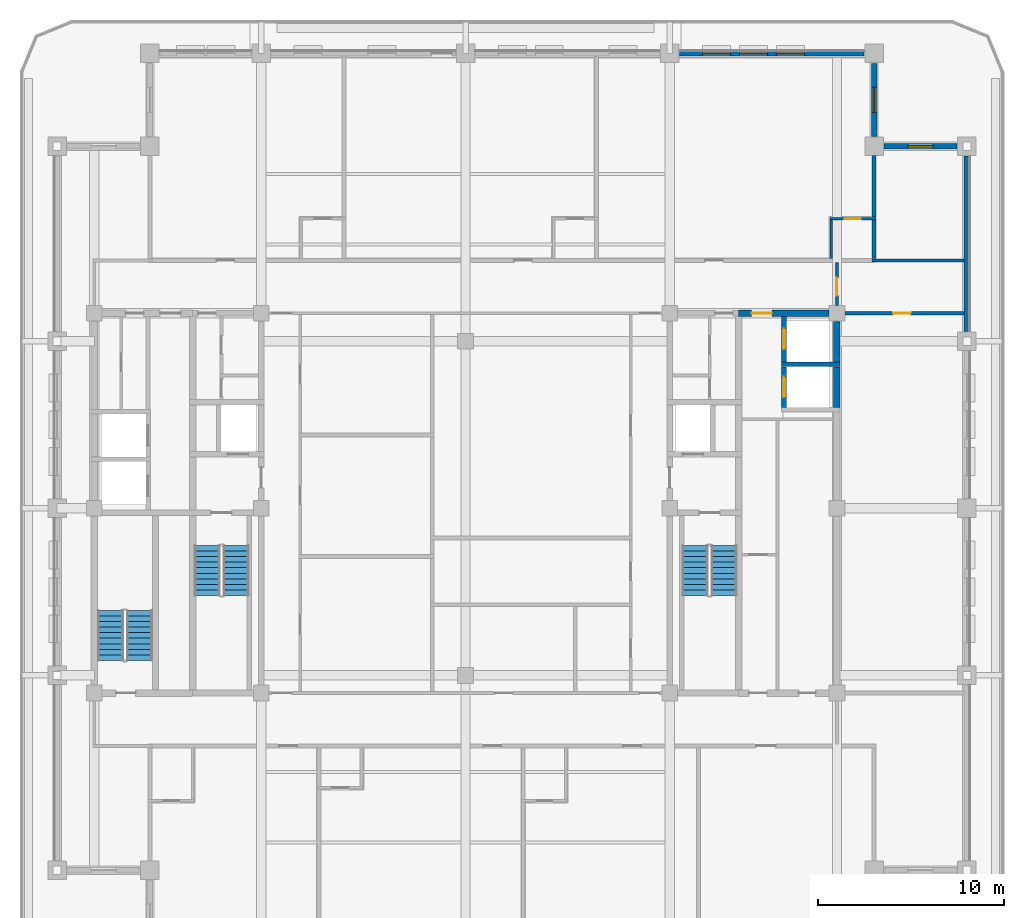
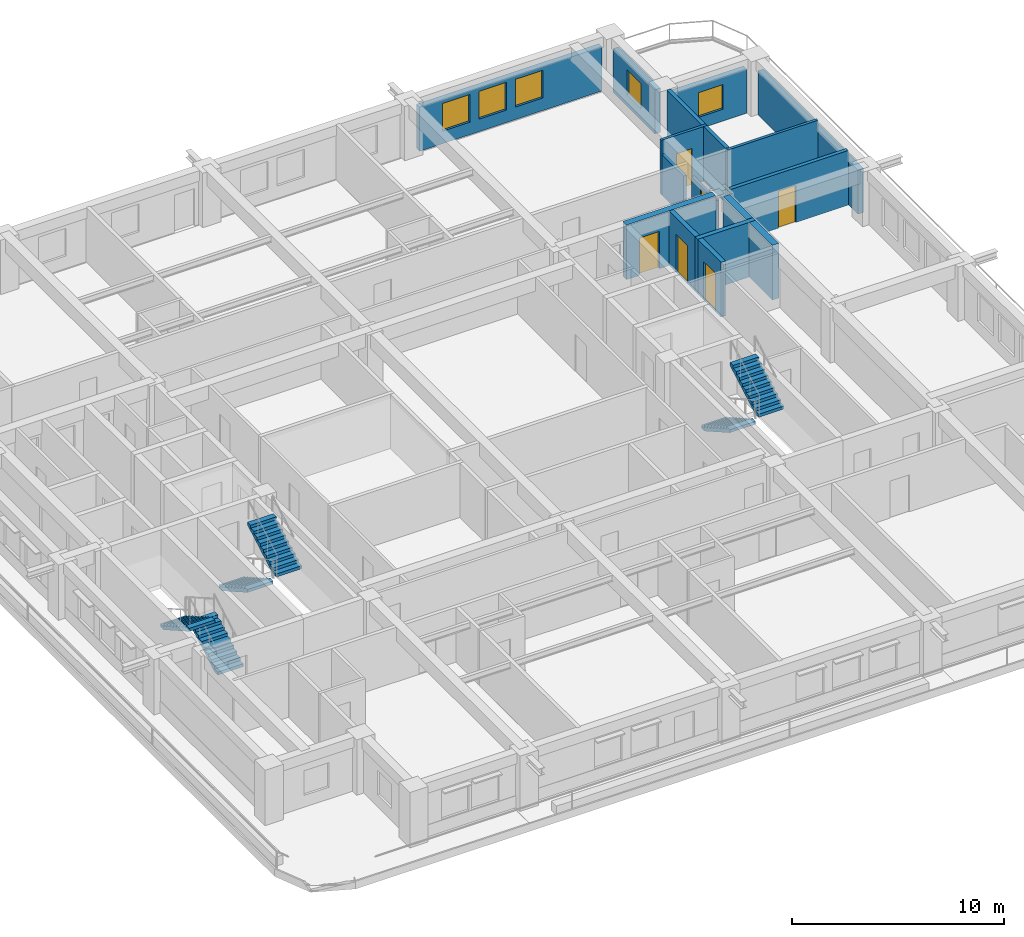
# One storey, part 7 of 13: 17 walls, 6 doors, 6 stair flights, 5 windows, 11 openings, 3 elements without a shape of their own.
"""IFC4 building model written with IfcOpenShell, lengths in metres."""

from ifc_helpers import new_model, si_unit, direction, frame, frame_2d, origin, place, context, subcontext, project, spatial, polyline, rectangle, outline, extrude, material, layer, layer_set, type_object, element, fill, aggregate, save


model = new_model("IFC4")

# Units and contexts
model_context = context("Model", 3, precision=1e-05, world=origin(), true_north=direction((0.0, 1.0)))
body_context = subcontext(model_context, "Body", "Model", "MODEL_VIEW")
ifc_project = project(units=[si_unit("LENGTHUNIT", "METRE"), si_unit("AREAUNIT", "SQUARE_METRE"), si_unit("VOLUMEUNIT", "CUBIC_METRE"), si_unit("PLANEANGLEUNIT", "RADIAN"), si_unit("MASSUNIT", "GRAM", prefix="KILO")], contexts=[model_context])

# Site, building, storey
site_placement = place(None, origin())
site = spatial("IfcSite", under=ifc_project, at=site_placement, CompositionType="ELEMENT")
building_placement = place(site_placement, origin())
building = spatial("IfcBuilding", under=site, at=building_placement, Name="Zulmaris Gate Convention Tower", CompositionType="ELEMENT")
storey_placement = place(building_placement, frame((0.0, 0.0, 176.259765625)))
storey = spatial("IfcBuildingStorey", under=building, at=storey_placement, Name="L45", CompositionType="ELEMENT", Elevation=176.259765625)

# Wall
ifc_material_1 = material(Name="Concrete C50/60", Category="concrete")
ifc_layer_1 = layer(ifc_material_1, 0.25, Name="Concrete C50/60")
ifc_layer_set_1 = layer_set([ifc_layer_1], Name="Concrete C50/60")
wall_type_1 = type_object("IfcWallType", Name="CORE-250", PredefinedType="SOLIDWALL", material=ifc_layer_set_1)
wall_1_placement = place(storey_placement, frame((17.02490234375, 7.75, 0.0), z_axis=(0.0, 0.0, 1.0), x_axis=(1.0, 0.0, 0.0)))
element("IfcWall", 1, at=wall_1_placement, inside=storey, type_object=wall_type_1, Name="WL-L45-014", PredefinedType="SOLIDWALL", context=body_context, shape_type="SweptSolid", body=[
    extrude(rectangle(XDim=3.150146484375, YDim=0.25, at=frame_2d((1.5751953125, 0.0))), origin(), (0.0, 0.0, 1.0), 3.150146484375),
])

# Wall, opening, door
wall_2_placement = place(storey_placement, frame((17.14990234375, 5.427001953125, 0.0), z_axis=(0.0, 0.0, 1.0), x_axis=(0.0, 1.0, 0.0)))
wall_2 = element("IfcWall", 2, at=wall_2_placement, inside=storey, type_object=wall_type_1, Name="WL-L45-069", PredefinedType="SOLIDWALL", context=body_context, shape_type="SweptSolid", body=[
    extrude(rectangle(XDim=2.196044921875, YDim=0.25, at=frame_2d((1.09814453125, 0.0))), origin(), (0.0, 0.0, 1.0), 3.150146484375),
])
opening_1_placement = place(wall_2_placement, frame((0.548095703125, 0.0, 0.0)))
opening_1 = element("IfcOpeningElement", 3, at=opening_1_placement, cuts=wall_2, Name="Opening D-06", PredefinedType="OPENING", context=body_context, shape_type="SweptSolid", body=[
    extrude(rectangle(XDim=1.10009765625, YDim=2.199951171875, at=frame_2d((0.550048828125, 1.10009765625))), frame((0.0, 0.135009765625, 0.0), z_axis=(0.0, -1.0, 0.0), x_axis=(1.0, 0.0, 0.0)), (0.0, 0.0, 1.0), 0.27001953125),
])
ifc_material_2 = material(Name="Brushed Stainless Steel", Category="steel")
door_type_1 = type_object("IfcDoorType", Name="LD-1100", OperationType="NOTDEFINED", PredefinedType="DOOR", material=ifc_material_2)
door_1_placement = place(opening_1_placement, origin())
door_1 = element("IfcDoor", 4, at=door_1_placement, inside=storey, type_object=door_type_1, Name="L45 Lift Landing Door HP-01 19", OperationType="SLIDING_TO_RIGHT", OverallHeight=2.199951171875, OverallWidth=1.10009765625, PredefinedType="DOOR", context=body_context, shape_type="SweptSolid", body=[
    extrude(rectangle(XDim=1.10009765625, YDim=2.199951171875, at=frame_2d((0.550048828125, 1.10009765625))), frame((0.0, 0.02490234375, 0.0), z_axis=(0.0, -1.0, 0.0), x_axis=(1.0, 0.0, 0.0)), (0.0, 0.0, 1.0), 0.050048828125),
])
fill(opening_1, door_1)

wall_3_placement = place(storey_placement, frame((17.14990234375, 7.876953125, 0.0), z_axis=(0.0, 0.0, 1.0), x_axis=(0.0, 1.0, 0.0)))
wall_3 = element("IfcWall", 5, at=wall_3_placement, inside=storey, type_object=wall_type_1, Name="WL-L45-070", PredefinedType="SOLIDWALL", context=body_context, shape_type="SweptSolid", body=[
    extrude(rectangle(XDim=2.446044921875, YDim=0.25, at=frame_2d((1.22314453125, 0.0))), origin(), (0.0, 0.0, 1.0), 3.150146484375),
])
opening_2_placement = place(wall_3_placement, frame((0.697998046875, 0.0, 0.0)))
opening_2 = element("IfcOpeningElement", 6, at=opening_2_placement, cuts=wall_3, Name="Opening D-06", PredefinedType="OPENING", context=body_context, shape_type="SweptSolid", body=[
    extrude(rectangle(XDim=1.10009765625, YDim=2.199951171875, at=frame_2d((0.550048828125, 1.10009765625))), frame((0.0, 0.135009765625, 0.0), z_axis=(0.0, -1.0, 0.0), x_axis=(1.0, 0.0, 0.0)), (0.0, 0.0, 1.0), 0.27001953125),
])
door_2_placement = place(opening_2_placement, origin())
door_2 = element("IfcDoor", 7, at=door_2_placement, inside=storey, type_object=door_type_1, Name="L45 Lift Landing Door HP-02 20", OperationType="SLIDING_TO_RIGHT", OverallHeight=2.199951171875, OverallWidth=1.10009765625, PredefinedType="DOOR", context=body_context, shape_type="SweptSolid", body=[
    extrude(rectangle(XDim=1.10009765625, YDim=2.199951171875, at=frame_2d((0.550048828125, 1.10009765625))), frame((0.0, 0.02490234375, 0.0), z_axis=(0.0, -1.0, 0.0), x_axis=(1.0, 0.0, 0.0)), (0.0, 0.0, 1.0), 0.050048828125),
])
fill(opening_2, door_2)

ifc_material_3 = material(Name="Concrete C55/67", Category="concrete")
ifc_layer_2 = layer(ifc_material_3, 0.35009765625, Name="Concrete C55/67")
ifc_layer_set_2 = layer_set([ifc_layer_2], Name="Concrete C55/67")
wall_type_2 = type_object("IfcWallType", Name="CORE-350", PredefinedType="SHEAR", material=ifc_layer_set_2)
wall_4_placement = place(storey_placement, frame((14.699951171875, 10.5, 0.0), z_axis=(0.0, 0.0, 1.0), x_axis=(1.0, 0.0, 0.0)))
wall_4 = element("IfcWall", 8, at=wall_4_placement, inside=storey, type_object=wall_type_2, Name="WL-L45-018", PredefinedType="SHEAR", context=body_context, shape_type="SweptSolid", body=[
    extrude(rectangle(XDim=4.87109375, YDim=0.35009765625, at=frame_2d((2.435546875, 0.0))), origin(), (0.0, 0.0, 1.0), 3.150146484375),
])
opening_3_placement = place(wall_4_placement, frame((0.699951171875, 0.0, 0.0)))
opening_3 = element("IfcOpeningElement", 9, at=opening_3_placement, cuts=wall_4, Name="Opening D-08", PredefinedType="OPENING", context=body_context, shape_type="SweptSolid", body=[
    extrude(rectangle(XDim=1.10009765625, YDim=2.14990234375, at=frame_2d((0.550048828125, 1.074951171875))), frame((0.0, 0.18505859375, 0.0), z_axis=(0.0, -1.0, 0.0), x_axis=(1.0, 0.0, 0.0)), (0.0, 0.0, 1.0), 0.3701171875),
])
ifc_material_4 = material(Name="Fire-Rated Steel", Category="steel")
door_type_2 = type_object("IfcDoorType", Name="DR-1100-FD", OperationType="NOTDEFINED", PredefinedType="DOOR", material=ifc_material_4)
door_3_placement = place(opening_3_placement, origin())
door_3 = element("IfcDoor", 10, at=door_3_placement, inside=storey, type_object=door_type_2, Name="L45 High-Rise East Lift Lobby Door 21", OperationType="SINGLE_SWING_RIGHT", OverallHeight=2.14990234375, OverallWidth=1.10009765625, PredefinedType="DOOR", context=body_context, shape_type="SweptSolid", body=[
    extrude(rectangle(XDim=1.10009765625, YDim=2.14990234375, at=frame_2d((0.550048828125, 1.074951171875))), frame((0.0, 0.02490234375, 0.0), z_axis=(0.0, -1.0, 0.0), x_axis=(1.0, 0.0, 0.0)), (0.0, 0.0, 1.0), 0.050048828125),
])
fill(opening_3, door_3)

# Walls
wall_5_placement = place(storey_placement, frame((20.0, 5.427001953125, 0.0), z_axis=(0.0, 0.0, 1.0), x_axis=(0.0, 1.0, 0.0)))
element("IfcWall", 11, at=wall_5_placement, inside=storey, type_object=wall_type_2, Name="WL-L45-072", PredefinedType="SHEAR", context=body_context, shape_type="SweptSolid", body=[
    extrude(rectangle(XDim=2.196044921875, YDim=0.35009765625, at=frame_2d((1.09814453125, 0.0))), origin(), (0.0, 0.0, 1.0), 3.150146484375),
])
wall_6_placement = place(storey_placement, frame((20.0, 7.876953125, 0.0), z_axis=(0.0, 0.0, 1.0), x_axis=(0.0, 1.0, 0.0)))
element("IfcWall", 12, at=wall_6_placement, inside=storey, type_object=wall_type_2, Name="WL-L45-073", PredefinedType="SHEAR", context=body_context, shape_type="SweptSolid", body=[
    extrude(rectangle(XDim=2.194091796875, YDim=0.35009765625, at=frame_2d((1.09716796875, 0.0))), origin(), (0.0, 0.0, 1.0), 3.150146484375),
])
ifc_material_5 = material(Name="Gypsum Metal Stud Partition")
ifc_layer_3 = layer(ifc_material_5, 0.14990234375, Name="Gypsum Metal Stud Partition")
ifc_layer_set_3 = layer_set([ifc_layer_3], Name="Gypsum Metal Stud Partition")
wall_type_3 = type_object("IfcWallType", Name="PART-150", PredefinedType="PARTITIONING", material=ifc_layer_set_3)
wall_7_placement = place(storey_placement, frame((21.89990234375, 13.35009765625, 0.0), z_axis=(0.0, 0.0, 1.0), x_axis=(1.0, 0.0, 0.0)))
element("IfcWall", 13, at=wall_7_placement, inside=storey, type_object=wall_type_3, Name="WL-L45-038", PredefinedType="PARTITIONING", context=body_context, shape_type="SweptSolid", body=[
    extrude(rectangle(XDim=4.93505859375, YDim=0.14990234375, at=frame_2d((2.467529296875, 0.0))), origin(), (0.0, 0.0, 1.0), 3.150146484375),
])

# Wall, opening, door
wall_8_placement = place(storey_placement, frame((19.625, 15.60009765625, 0.0), z_axis=(0.0, 0.0, 1.0), x_axis=(1.0, 0.0, 0.0)))
wall_8 = element("IfcWall", 14, at=wall_8_placement, inside=storey, type_object=wall_type_3, Name="WL-L45-041", PredefinedType="PARTITIONING", context=body_context, shape_type="SweptSolid", body=[
    extrude(rectangle(XDim=2.47509765625, YDim=0.14990234375, at=frame_2d((1.237548828125, 0.0))), origin(), (0.0, 0.0, 1.0), 3.150146484375),
])
opening_4_placement = place(wall_8_placement, frame((0.800048828125, 0.0, 0.0)))
opening_4 = element("IfcOpeningElement", 15, at=opening_4_placement, cuts=wall_8, Name="Opening D-17", PredefinedType="OPENING", context=body_context, shape_type="SweptSolid", body=[
    extrude(rectangle(XDim=0.85009765625, YDim=2.10009765625, at=frame_2d((0.425048828125, 1.050048828125))), frame((0.0, 0.0849609375, 0.0), z_axis=(0.0, -1.0, 0.0), x_axis=(1.0, 0.0, 0.0)), (0.0, 0.0, 1.0), 0.169921875),
])
ifc_material_6 = material(Name="Moisture-Resistant Hardwood Timber", Category="wood")
door_type_3 = type_object("IfcDoorType", Name="DR-850", OperationType="NOTDEFINED", PredefinedType="DOOR", material=ifc_material_6)
door_4_placement = place(opening_4_placement, origin())
door_4 = element("IfcDoor", 16, at=door_4_placement, inside=storey, type_object=door_type_3, Name="L45 En-Suite Door 34", OperationType="SINGLE_SWING_LEFT", OverallHeight=2.10009765625, OverallWidth=0.85009765625, PredefinedType="DOOR", context=body_context, shape_type="SweptSolid", body=[
    extrude(rectangle(XDim=0.85009765625, YDim=2.10009765625, at=frame_2d((0.425048828125, 1.050048828125))), frame((0.0, 0.02490234375, 0.0), z_axis=(0.0, -1.0, 0.0), x_axis=(1.0, 0.0, 0.0)), (0.0, 0.0, 1.0), 0.050048828125),
])
fill(opening_4, door_4)

# Wall
wall_9_placement = place(storey_placement, frame((19.699951171875, 13.452880859375, 0.0), z_axis=(0.0, 0.0, 1.0), x_axis=(0.0, 1.0, 0.0)))
element("IfcWall", 17, at=wall_9_placement, inside=storey, type_object=wall_type_3, Name="WL-L45-113", PredefinedType="PARTITIONING", context=body_context, shape_type="SweptSolid", body=[
    extrude(rectangle(XDim=2.069091796875, YDim=0.14990234375, at=frame_2d((1.03466796875, 0.0))), origin(), (0.0, 0.0, 1.0), 2.342041015625),
])

# Wall, opening, door
wall_10_placement = place(storey_placement, frame((20.0, 10.930908203125, 0.0), z_axis=(0.0, 0.0, 1.0), x_axis=(0.0, 1.0, 0.0)))
wall_10 = element("IfcWall", 18, at=wall_10_placement, inside=storey, type_object=wall_type_3, Name="WL-L45-115", PredefinedType="PARTITIONING", context=body_context, shape_type="SweptSolid", body=[
    extrude(rectangle(XDim=2.316162109375, YDim=0.14990234375, at=frame_2d((1.158203125, 0.0))), origin(), (0.0, 0.0, 1.0), 2.342041015625),
])
opening_5_placement = place(wall_10_placement, frame((0.52392578125, 0.0, 0.0)))
opening_5 = element("IfcOpeningElement", 19, at=opening_5_placement, cuts=wall_10, Name="Opening D-11", PredefinedType="OPENING", context=body_context, shape_type="SweptSolid", body=[
    extrude(rectangle(XDim=0.949951171875, YDim=2.14990234375, at=frame_2d((0.47509765625, 1.074951171875))), frame((0.0, 0.0849609375, 0.0), z_axis=(0.0, -1.0, 0.0), x_axis=(1.0, 0.0, 0.0)), (0.0, 0.0, 1.0), 0.169921875),
])
ifc_material_7 = material(Name="Fire-Rated Timber", Category="wood")
door_type_4 = type_object("IfcDoorType", Name="DR-950-FD", OperationType="NOTDEFINED", PredefinedType="DOOR", material=ifc_material_7)
door_5_placement = place(opening_5_placement, origin())
door_5 = element("IfcDoor", 20, at=door_5_placement, inside=storey, type_object=door_type_4, Name="L45 East Spur Door 49", OperationType="SINGLE_SWING_RIGHT", OverallHeight=2.14990234375, OverallWidth=0.949951171875, PredefinedType="DOOR", context=body_context, shape_type="SweptSolid", body=[
    extrude(rectangle(XDim=0.949951171875, YDim=2.14990234375, at=frame_2d((0.47509765625, 1.074951171875))), frame((0.0, 0.02490234375, 0.0), z_axis=(0.0, -1.0, 0.0), x_axis=(1.0, 0.0, 0.0)), (0.0, 0.0, 1.0), 0.050048828125),
])
fill(opening_5, door_5)

ifc_material_8 = material(Name="Autoclaved Aerated Concrete Block and Plasterboard", Category="concrete")
ifc_layer_4 = layer(ifc_material_8, 0.199951171875, Name="Autoclaved Aerated Concrete Block and Plasterboard")
ifc_layer_set_4 = layer_set([ifc_layer_4], Name="Autoclaved Aerated Concrete Block and Plasterboard")
wall_type_4 = type_object("IfcWallType", Name="PART-200", PredefinedType="PARTITIONING", material=ifc_layer_set_4)
wall_11_placement = place(storey_placement, frame((20.430908203125, 10.5, 0.0), z_axis=(0.0, 0.0, 1.0), x_axis=(1.0, 0.0, 0.0)))
wall_11 = element("IfcWall", 21, at=wall_11_placement, inside=storey, type_object=wall_type_4, Name="WL-L45-035", PredefinedType="PARTITIONING", context=body_context, shape_type="SweptSolid", body=[
    extrude(rectangle(XDim=6.404052734375, YDim=0.199951171875, at=frame_2d((3.2021484375, 0.0))), origin(), (0.0, 0.0, 1.0), 3.150146484375),
])
opening_6_placement = place(wall_11_placement, frame((2.593994140625, 0.0, 0.0)))
opening_6 = element("IfcOpeningElement", 22, at=opening_6_placement, cuts=wall_11, Name="Opening D-11", PredefinedType="OPENING", context=body_context, shape_type="SweptSolid", body=[
    extrude(rectangle(XDim=0.949951171875, YDim=2.14990234375, at=frame_2d((0.47509765625, 1.074951171875))), frame((0.0, 0.10986328125, 0.0), z_axis=(0.0, -1.0, 0.0), x_axis=(1.0, 0.0, 0.0)), (0.0, 0.0, 1.0), 0.219970703125),
])
door_6_placement = place(opening_6_placement, origin())
door_6 = element("IfcDoor", 23, at=door_6_placement, inside=storey, type_object=door_type_4, Name="L45 East Lounge Door 50", OperationType="SINGLE_SWING_LEFT", OverallHeight=2.14990234375, OverallWidth=0.949951171875, PredefinedType="DOOR", context=body_context, shape_type="SweptSolid", body=[
    extrude(rectangle(XDim=0.949951171875, YDim=2.14990234375, at=frame_2d((0.47509765625, 1.074951171875))), frame((0.0, 0.02490234375, 0.0), z_axis=(0.0, -1.0, 0.0), x_axis=(1.0, 0.0, 0.0)), (0.0, 0.0, 1.0), 0.050048828125),
])
fill(opening_6, door_6)

# Walls
wall_12_placement = place(storey_placement, frame((22.0, 13.452880859375, 0.0), z_axis=(0.0, 0.0, 1.0), x_axis=(0.0, 1.0, 0.0)))
element("IfcWall", 24, at=wall_12_placement, inside=storey, type_object=wall_type_4, Name="WL-L45-117", PredefinedType="PARTITIONING", context=body_context, shape_type="SweptSolid", body=[
    extrude(rectangle(XDim=2.069091796875, YDim=0.199951171875, at=frame_2d((1.03466796875, 0.0))), origin(), (0.0, 0.0, 1.0), 3.150146484375),
])
wall_13_placement = place(storey_placement, frame((22.0, 15.677978515625, 0.0), z_axis=(0.0, 0.0, 1.0), x_axis=(0.0, 1.0, 0.0)))
element("IfcWall", 25, at=wall_13_placement, inside=storey, type_object=wall_type_4, Name="WL-L45-118", PredefinedType="PARTITIONING", context=body_context, shape_type="SweptSolid", body=[
    extrude(rectangle(XDim=3.31591796875, YDim=0.199951171875, at=frame_2d((1.657958984375, 0.0))), origin(), (0.0, 0.0, 1.0), 3.150146484375),
])

# Wall, opening, window
ifc_material_9 = material(Name="Precast concrete C40/50", Category="concrete")
ifc_layer_5 = layer(ifc_material_9, 0.300048828125, Name="Precast concrete C40/50")
ifc_layer_set_5 = layer_set([ifc_layer_5], Name="Precast concrete C40/50")
wall_type_5 = type_object("IfcWallType", Name="PRECAST-PIER-300", PredefinedType="STANDARD", material=ifc_layer_set_5)
wall_14_placement = place(storey_placement, frame((26.469970703125, 19.5, 0.0), z_axis=(0.0, 0.0, 1.0), x_axis=(-1.0, 0.0, 0.0)))
wall_14 = element("IfcWall", 26, at=wall_14_placement, inside=storey, type_object=wall_type_5, Name="EW-L45-NOTCH-NE1_0", PredefinedType="STANDARD", context=body_context, shape_type="SweptSolid", body=[
    extrude(rectangle(XDim=3.93994140625, YDim=0.300048828125, at=frame_2d((1.969970703125, 0.0))), origin(), (0.0, 0.0, 1.0), 2.542236328125),
])
opening_7_placement = place(wall_14_placement, frame((1.294921875, 0.0, 0.679931640625)))
opening_7 = element("IfcOpeningElement", 27, at=opening_7_placement, cuts=wall_14, Name="Opening W-10", PredefinedType="OPENING", context=body_context, shape_type="SweptSolid", body=[
    extrude(rectangle(XDim=1.35009765625, YDim=1.419921875, at=frame_2d((0.675048828125, 0.7099609375))), frame((0.0, 0.16015625, 0.0), z_axis=(0.0, -1.0, 0.0), x_axis=(1.0, 0.0, 0.0)), (0.0, 0.0, 1.0), 0.320068359375),
])
ifc_material_10 = material(Name="Low-E Laminated Double Glazing in Aluminium Frame", Category="aluminium")
window_type_1 = type_object("IfcWindowType", Name="WIN-1350x2000", PartitioningType="SINGLE_PANEL", PredefinedType="WINDOW", material=ifc_material_10)
window_1_placement = place(opening_7_placement, origin())
window_1 = element("IfcWindow", 28, at=window_1_placement, inside=storey, type_object=window_type_1, Name="WN-EW-L45-NOTCH-NE1_0", OverallHeight=1.419921875, OverallWidth=1.35009765625, PartitioningType="SINGLE_PANEL", PredefinedType="WINDOW", context=body_context, shape_type="SweptSolid", body=[
    extrude(rectangle(XDim=1.35009765625, YDim=1.419921875, at=frame_2d((0.675048828125, 0.7099609375))), frame((0.0, 0.030029296875, 0.0), z_axis=(0.0, -1.0, 0.0), x_axis=(1.0, 0.0, 0.0)), (0.0, 0.0, 1.0), 0.06005859375),
])
fill(opening_7, window_1)

wall_15_placement = place(storey_placement, frame((22.0, 20.030029296875, 0.0), z_axis=(0.0, 0.0, 1.0), x_axis=(0.0, 1.0, 0.0)))
wall_15 = element("IfcWall", 29, at=wall_15_placement, inside=storey, type_object=wall_type_5, Name="EW-L45-NOTCH-NE2_0", PredefinedType="STANDARD", context=body_context, shape_type="SweptSolid", body=[
    extrude(rectangle(XDim=3.93994140625, YDim=0.300048828125, at=frame_2d((1.969970703125, 0.0))), origin(), (0.0, 0.0, 1.0), 2.542236328125),
])
opening_8_placement = place(wall_15_placement, frame((1.294921875, 0.0, 0.679931640625)))
opening_8 = element("IfcOpeningElement", 30, at=opening_8_placement, cuts=wall_15, Name="Opening W-10", PredefinedType="OPENING", context=body_context, shape_type="SweptSolid", body=[
    extrude(rectangle(XDim=1.35009765625, YDim=1.419921875, at=frame_2d((0.675048828125, 0.7099609375))), frame((0.0, 0.16015625, 0.0), z_axis=(0.0, -1.0, 0.0), x_axis=(1.0, 0.0, 0.0)), (0.0, 0.0, 1.0), 0.320068359375),
])
window_2_placement = place(opening_8_placement, origin())
window_2 = element("IfcWindow", 31, at=window_2_placement, inside=storey, type_object=window_type_1, Name="WN-EW-L45-NOTCH-NE2_0", OverallHeight=1.419921875, OverallWidth=1.35009765625, PartitioningType="SINGLE_PANEL", PredefinedType="WINDOW", context=body_context, shape_type="SweptSolid", body=[
    extrude(rectangle(XDim=1.35009765625, YDim=1.419921875, at=frame_2d((0.675048828125, 0.7099609375))), frame((0.0, 0.030029296875, 0.0), z_axis=(0.0, -1.0, 0.0), x_axis=(1.0, 0.0, 0.0)), (0.0, 0.0, 1.0), 0.06005859375),
])
fill(opening_8, window_2)

# Wall, openings, windows
wall_16_placement = place(storey_placement, frame((21.469970703125, 24.5, 0.0), z_axis=(0.0, 0.0, 1.0), x_axis=(-1.0, 0.0, 0.0)))
wall_16 = element("IfcWall", 32, at=wall_16_placement, inside=storey, type_object=wall_type_5, Name="EW-L45-N-3_0", PredefinedType="STANDARD", context=body_context, shape_type="SweptSolid", body=[
    extrude(rectangle(XDim=9.93994140625, YDim=0.300048828125, at=frame_2d((4.969970703125, 0.0))), origin(), (0.0, 0.0, 1.0), 2.542236328125),
])
opening_9_placement = place(wall_16_placement, frame((3.22607421875, 0.0, 0.719970703125)))
opening_9 = element("IfcOpeningElement", 33, at=opening_9_placement, cuts=wall_16, Name="Opening W-03", PredefinedType="OPENING", context=body_context, shape_type="SweptSolid", body=[
    extrude(rectangle(XDim=1.5, YDim=1.60009765625, at=frame_2d((0.75, 0.800048828125))), frame((0.0, 0.16015625, 0.0), z_axis=(0.0, -1.0, 0.0), x_axis=(1.0, 0.0, 0.0)), (0.0, 0.0, 1.0), 0.320068359375),
])
opening_10_placement = place(wall_16_placement, frame((5.214111328125, 0.0, 0.719970703125)))
opening_10 = element("IfcOpeningElement", 34, at=opening_10_placement, cuts=wall_16, Name="Opening W-03", PredefinedType="OPENING", context=body_context, shape_type="SweptSolid", body=[
    extrude(rectangle(XDim=1.5, YDim=1.60009765625, at=frame_2d((0.75, 0.800048828125))), frame((0.0, 0.16015625, 0.0), z_axis=(0.0, -1.0, 0.0), x_axis=(1.0, 0.0, 0.0)), (0.0, 0.0, 1.0), 0.320068359375),
])
opening_11_placement = place(wall_16_placement, frame((7.201904296875, 0.0, 0.719970703125)))
opening_11 = element("IfcOpeningElement", 35, at=opening_11_placement, cuts=wall_16, Name="Opening W-03", PredefinedType="OPENING", context=body_context, shape_type="SweptSolid", body=[
    extrude(rectangle(XDim=1.5, YDim=1.60009765625, at=frame_2d((0.75, 0.800048828125))), frame((0.0, 0.16015625, 0.0), z_axis=(0.0, -1.0, 0.0), x_axis=(1.0, 0.0, 0.0)), (0.0, 0.0, 1.0), 0.320068359375),
])
window_type_2 = type_object("IfcWindowType", Name="WIN-1500x2100", PartitioningType="SINGLE_PANEL", PredefinedType="WINDOW", material=ifc_material_10)
window_3_placement = place(opening_9_placement, origin())
window_3 = element("IfcWindow", 36, at=window_3_placement, inside=storey, type_object=window_type_2, Name="WN-EW-L45-N-3_0-2", OverallHeight=1.60009765625, OverallWidth=1.5, PartitioningType="SINGLE_PANEL", PredefinedType="WINDOW", context=body_context, shape_type="SweptSolid", body=[
    extrude(rectangle(XDim=1.5, YDim=1.60009765625, at=frame_2d((0.75, 0.800048828125))), frame((0.0, 0.030029296875, 0.0), z_axis=(0.0, -1.0, 0.0), x_axis=(1.0, 0.0, 0.0)), (0.0, 0.0, 1.0), 0.06005859375),
])
fill(opening_9, window_3)
window_4_placement = place(opening_10_placement, origin())
window_4 = element("IfcWindow", 37, at=window_4_placement, inside=storey, type_object=window_type_2, Name="WN-EW-L45-N-3_0-3", OverallHeight=1.60009765625, OverallWidth=1.5, PartitioningType="SINGLE_PANEL", PredefinedType="WINDOW", context=body_context, shape_type="SweptSolid", body=[
    extrude(rectangle(XDim=1.5, YDim=1.60009765625, at=frame_2d((0.75, 0.800048828125))), frame((0.0, 0.030029296875, 0.0), z_axis=(0.0, -1.0, 0.0), x_axis=(1.0, 0.0, 0.0)), (0.0, 0.0, 1.0), 0.06005859375),
])
fill(opening_10, window_4)
window_5_placement = place(opening_11_placement, origin())
window_5 = element("IfcWindow", 38, at=window_5_placement, inside=storey, type_object=window_type_2, Name="WN-EW-L45-N-3_0-4", OverallHeight=1.60009765625, OverallWidth=1.5, PartitioningType="SINGLE_PANEL", PredefinedType="WINDOW", context=body_context, shape_type="SweptSolid", body=[
    extrude(rectangle(XDim=1.5, YDim=1.60009765625, at=frame_2d((0.75, 0.800048828125))), frame((0.0, 0.030029296875, 0.0), z_axis=(0.0, -1.0, 0.0), x_axis=(1.0, 0.0, 0.0)), (0.0, 0.0, 1.0), 0.06005859375),
])
fill(opening_11, window_5)

# Wall
wall_17_placement = place(storey_placement, frame((27.0, 9.530029296875, 0.0), z_axis=(0.0, 0.0, 1.0), x_axis=(0.0, 1.0, 0.0)))
element("IfcWall", 39, at=wall_17_placement, inside=storey, type_object=wall_type_5, Name="EW-L45-E-3_0", PredefinedType="STANDARD", context=body_context, shape_type="SweptSolid", body=[
    extrude(rectangle(XDim=9.43994140625, YDim=0.300048828125, at=frame_2d((4.719970703125, 0.0))), origin(), (0.0, 0.0, 1.0), 2.542236328125),
])

# Stair, stair flights
ifc_material_11 = material(Name="Concrete C45/55", Category="concrete")
stair_type = type_object("IfcStairType", Name="ST-CORE-DOGLEG", PredefinedType="HALF_TURN_STAIR", material=ifc_material_11)
stair_1_placement = place(storey_placement, origin())
stair_1 = element("IfcStair", 40, at=stair_1_placement, inside=storey, type_object=stair_type, Name="L45 Core Exit Stair ST-1", PredefinedType="HALF_TURN_STAIR")
ifc_layer_6 = layer(ifc_material_11, 0.14990234375, Name="Concrete C45/55")
ifc_layer_set_6 = layer_set([ifc_layer_6], Name="Concrete C45/55")
stair_flight_type = type_object("IfcStairFlightType", Name="STF-RC150", PredefinedType="STRAIGHT", material=ifc_layer_set_6)
stair_flight_1_placement = place(storey_placement, frame((-13.919921875, -2.0, 0.0), z_axis=(0.0, 0.0, 1.0), x_axis=(0.0, -1.0, 0.0)))
stair_flight_1 = element("IfcStairFlight", 41, at=stair_flight_1_placement, type_object=stair_flight_type, Name="ST-1 flight 1", NumberOfRisers=10, NumberOfTreads=9, PredefinedType="STRAIGHT", RiserHeight=0.170005, TreadLength=0.3, context=body_context, shape_type="SweptSolid", body=[
    extrude(outline(polyline([(0.0, 0.0), (0.0, 0.169921875), (0.300048828125, 0.169921875), (0.300048828125, 0.340087890625), (0.60009765625, 0.340087890625), (0.60009765625, 0.510009765625), (0.89990234375, 0.510009765625), (0.89990234375, 0.679931640625), (1.199951171875, 0.679931640625), (1.199951171875, 0.85009765625), (1.5, 0.85009765625), (1.5, 1.02001953125), (1.800048828125, 1.02001953125), (1.800048828125, 1.18994140625), (2.10009765625, 1.18994140625), (2.10009765625, 1.360107421875), (2.39990234375, 1.360107421875), (2.39990234375, 1.530029296875), (2.699951171875, 1.530029296875), (2.699951171875, 1.699951171875), (2.699951171875, 1.357666015625), (0.303955078125, 0.0), (0.0, 0.0)])), frame((0.0, 0.699951171875, 0.0), z_axis=(0.0, -1.0, 0.0), x_axis=(1.0, 0.0, 0.0)), (0.0, 0.0, 1.0), 1.39990234375),
])
stair_flight_2_placement = place(storey_placement, frame((-12.360107421875, -4.699951171875, 1.7001953125), z_axis=(0.0, 0.0, 1.0), x_axis=(0.0, 1.0, 0.0)))
stair_flight_2 = element("IfcStairFlight", 42, at=stair_flight_2_placement, type_object=stair_flight_type, Name="ST-1 flight 2", NumberOfRisers=10, NumberOfTreads=9, PredefinedType="STRAIGHT", RiserHeight=0.170005, TreadLength=0.3, context=body_context, shape_type="SweptSolid", body=[
    extrude(outline(polyline([(0.0, 0.0), (0.0, 0.169921875), (0.300048828125, 0.169921875), (0.300048828125, 0.340087890625), (0.60009765625, 0.340087890625), (0.60009765625, 0.510009765625), (0.89990234375, 0.510009765625), (0.89990234375, 0.679931640625), (1.199951171875, 0.679931640625), (1.199951171875, 0.85009765625), (1.5, 0.85009765625), (1.5, 1.02001953125), (1.800048828125, 1.02001953125), (1.800048828125, 1.18994140625), (2.10009765625, 1.18994140625), (2.10009765625, 1.360107421875), (2.39990234375, 1.360107421875), (2.39990234375, 1.530029296875), (2.699951171875, 1.530029296875), (2.699951171875, 1.699951171875), (2.699951171875, 1.357666015625), (0.303955078125, 0.0), (0.0, 0.0)])), frame((0.0, 0.699951171875, 0.0), z_axis=(0.0, -1.0, 0.0), x_axis=(1.0, 0.0, 0.0)), (0.0, 0.0, 1.0), 1.39990234375),
])
aggregate(stair_1, [stair_flight_1, stair_flight_2])

stair_2_placement = place(storey_placement, origin())
stair_2 = element("IfcStair", 43, at=stair_2_placement, inside=storey, type_object=stair_type, Name="L45 Core Exit Stair ST-2", PredefinedType="HALF_TURN_STAIR")
stair_flight_3_placement = place(storey_placement, frame((12.360107421875, -2.0, 0.0), z_axis=(0.0, 0.0, 1.0), x_axis=(0.0, -1.0, 0.0)))
stair_flight_3 = element("IfcStairFlight", 44, at=stair_flight_3_placement, type_object=stair_flight_type, Name="ST-2 flight 1", NumberOfRisers=10, NumberOfTreads=9, PredefinedType="STRAIGHT", RiserHeight=0.170005, TreadLength=0.3, context=body_context, shape_type="SweptSolid", body=[
    extrude(outline(polyline([(0.0, 0.0), (0.0, 0.169921875), (0.300048828125, 0.169921875), (0.300048828125, 0.340087890625), (0.60009765625, 0.340087890625), (0.60009765625, 0.510009765625), (0.89990234375, 0.510009765625), (0.89990234375, 0.679931640625), (1.199951171875, 0.679931640625), (1.199951171875, 0.85009765625), (1.5, 0.85009765625), (1.5, 1.02001953125), (1.800048828125, 1.02001953125), (1.800048828125, 1.18994140625), (2.10009765625, 1.18994140625), (2.10009765625, 1.360107421875), (2.39990234375, 1.360107421875), (2.39990234375, 1.530029296875), (2.699951171875, 1.530029296875), (2.699951171875, 1.699951171875), (2.699951171875, 1.357666015625), (0.303955078125, 0.0), (0.0, 0.0)])), frame((0.0, 0.699951171875, 0.0), z_axis=(0.0, -1.0, 0.0), x_axis=(1.0, 0.0, 0.0)), (0.0, 0.0, 1.0), 1.39990234375),
])
stair_flight_4_placement = place(storey_placement, frame((13.919921875, -4.699951171875, 1.7001953125), z_axis=(0.0, 0.0, 1.0), x_axis=(0.0, 1.0, 0.0)))
stair_flight_4 = element("IfcStairFlight", 45, at=stair_flight_4_placement, type_object=stair_flight_type, Name="ST-2 flight 2", NumberOfRisers=10, NumberOfTreads=9, PredefinedType="STRAIGHT", RiserHeight=0.170005, TreadLength=0.3, context=body_context, shape_type="SweptSolid", body=[
    extrude(outline(polyline([(0.0, 0.0), (0.0, 0.169921875), (0.300048828125, 0.169921875), (0.300048828125, 0.340087890625), (0.60009765625, 0.340087890625), (0.60009765625, 0.510009765625), (0.89990234375, 0.510009765625), (0.89990234375, 0.679931640625), (1.199951171875, 0.679931640625), (1.199951171875, 0.85009765625), (1.5, 0.85009765625), (1.5, 1.02001953125), (1.800048828125, 1.02001953125), (1.800048828125, 1.18994140625), (2.10009765625, 1.18994140625), (2.10009765625, 1.360107421875), (2.39990234375, 1.360107421875), (2.39990234375, 1.530029296875), (2.699951171875, 1.530029296875), (2.699951171875, 1.699951171875), (2.699951171875, 1.357666015625), (0.303955078125, 0.0), (0.0, 0.0)])), frame((0.0, 0.699951171875, 0.0), z_axis=(0.0, -1.0, 0.0), x_axis=(1.0, 0.0, 0.0)), (0.0, 0.0, 1.0), 1.39990234375),
])
aggregate(stair_2, [stair_flight_3, stair_flight_4])

stair_3_placement = place(storey_placement, origin())
stair_3 = element("IfcStair", 46, at=stair_3_placement, inside=storey, type_object=stair_type, Name="L45 Core Exit Stair ST-3", PredefinedType="HALF_TURN_STAIR")
stair_flight_5_placement = place(storey_placement, frame((-17.56005859375, -8.199951171875, 0.0), z_axis=(0.0, 0.0, 1.0), x_axis=(0.0, 1.0, 0.0)))
stair_flight_5 = element("IfcStairFlight", 47, at=stair_flight_5_placement, type_object=stair_flight_type, Name="ST-3 flight 1", NumberOfRisers=10, NumberOfTreads=9, PredefinedType="STRAIGHT", RiserHeight=0.170005, TreadLength=0.3, context=body_context, shape_type="SweptSolid", body=[
    extrude(outline(polyline([(0.0, 0.0), (0.0, 0.169921875), (0.300048828125, 0.169921875), (0.300048828125, 0.340087890625), (0.60009765625, 0.340087890625), (0.60009765625, 0.510009765625), (0.89990234375, 0.510009765625), (0.89990234375, 0.679931640625), (1.199951171875, 0.679931640625), (1.199951171875, 0.85009765625), (1.5, 0.85009765625), (1.5, 1.02001953125), (1.800048828125, 1.02001953125), (1.800048828125, 1.18994140625), (2.10009765625, 1.18994140625), (2.10009765625, 1.360107421875), (2.39990234375, 1.360107421875), (2.39990234375, 1.530029296875), (2.699951171875, 1.530029296875), (2.699951171875, 1.699951171875), (2.699951171875, 1.357666015625), (0.303955078125, 0.0), (0.0, 0.0)])), frame((0.0, 0.699951171875, 0.0), z_axis=(0.0, -1.0, 0.0), x_axis=(1.0, 0.0, 0.0)), (0.0, 0.0, 1.0), 1.39990234375),
])
stair_flight_6_placement = place(storey_placement, frame((-19.1201171875, -5.5, 1.7001953125), z_axis=(0.0, 0.0, 1.0), x_axis=(0.0, -1.0, 0.0)))
stair_flight_6 = element("IfcStairFlight", 48, at=stair_flight_6_placement, type_object=stair_flight_type, Name="ST-3 flight 2", NumberOfRisers=10, NumberOfTreads=9, PredefinedType="STRAIGHT", RiserHeight=0.170005, TreadLength=0.3, context=body_context, shape_type="SweptSolid", body=[
    extrude(outline(polyline([(0.0, 0.0), (0.0, 0.169921875), (0.300048828125, 0.169921875), (0.300048828125, 0.340087890625), (0.60009765625, 0.340087890625), (0.60009765625, 0.510009765625), (0.89990234375, 0.510009765625), (0.89990234375, 0.679931640625), (1.199951171875, 0.679931640625), (1.199951171875, 0.85009765625), (1.5, 0.85009765625), (1.5, 1.02001953125), (1.800048828125, 1.02001953125), (1.800048828125, 1.18994140625), (2.10009765625, 1.18994140625), (2.10009765625, 1.360107421875), (2.39990234375, 1.360107421875), (2.39990234375, 1.530029296875), (2.699951171875, 1.530029296875), (2.699951171875, 1.699951171875), (2.699951171875, 1.357666015625), (0.303955078125, 0.0), (0.0, 0.0)])), frame((0.0, 0.699951171875, 0.0), z_axis=(0.0, -1.0, 0.0), x_axis=(1.0, 0.0, 0.0)), (0.0, 0.0, 1.0), 1.39990234375),
])
aggregate(stair_3, [stair_flight_5, stair_flight_6])

save(model, "model.ifc")
